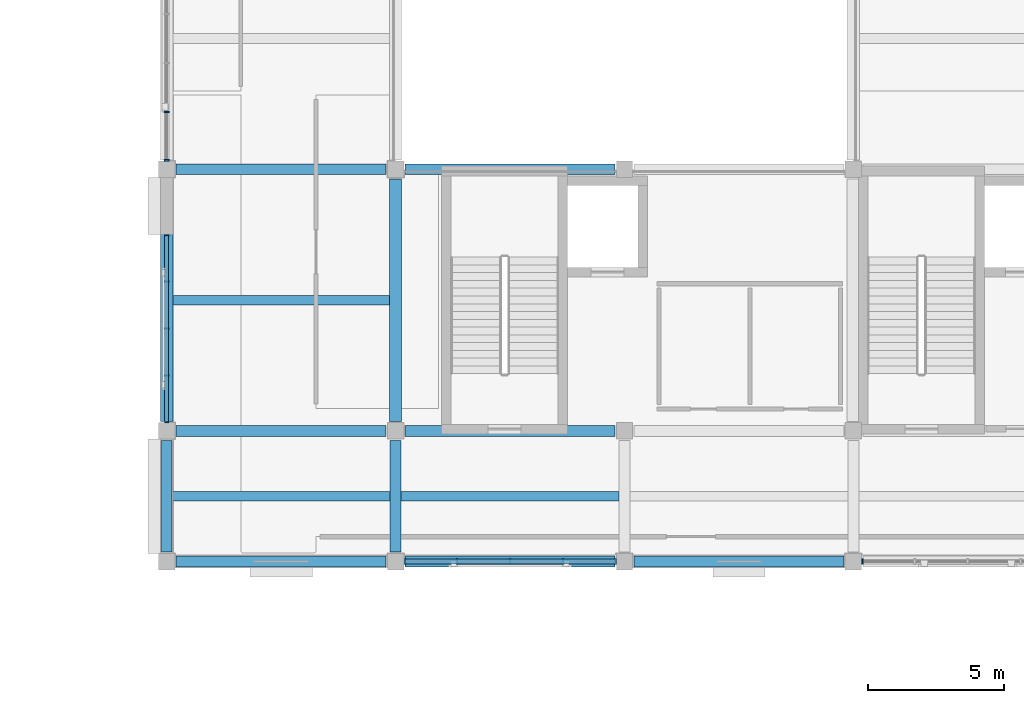
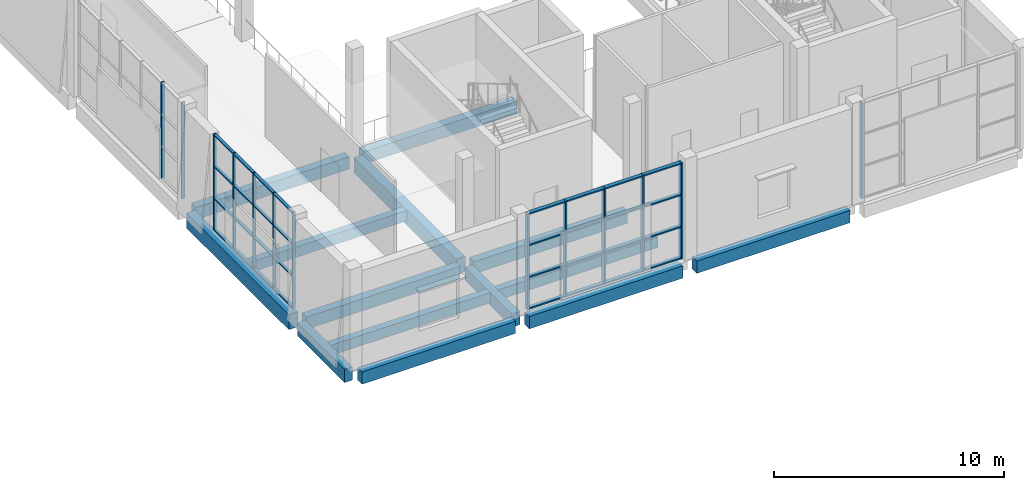
# One storey, part 22 of 57: 21 members, 14 beams, 4 elements without a shape of their own.
"""IFC4 building model written with IfcOpenShell, lengths in metres."""

from ifc_helpers import new_model, si_unit, direction, frame, origin, origin_2d, place, context, subcontext, project, spatial, rectangle, extrude, material, material_profile, profile_set, type_object, element, aggregate, save


model = new_model("IFC4")

# Units and contexts
model_context = context("Model", 3, precision=1e-05, world=origin(), true_north=direction((0.0, 1.0)))
body_context = subcontext(model_context, "Body", "Model", "MODEL_VIEW")
ifc_project = project(units=[si_unit("LENGTHUNIT", "METRE"), si_unit("AREAUNIT", "SQUARE_METRE"), si_unit("VOLUMEUNIT", "CUBIC_METRE"), si_unit("PLANEANGLEUNIT", "RADIAN"), si_unit("MASSUNIT", "GRAM", prefix="KILO")], contexts=[model_context])

# Site, building, storey
site_placement = place(None, origin())
site = spatial("IfcSite", under=ifc_project, at=site_placement, CompositionType="ELEMENT")
building_placement = place(site_placement, origin())
building = spatial("IfcBuilding", under=site, at=building_placement, Name="Shalvenor Court Art Gallery", CompositionType="ELEMENT")
storey_placement = place(building_placement, frame((0.0, 0.0, 16.800048828125)))
storey = spatial("IfcBuildingStorey", under=building, at=storey_placement, Name="L03", CompositionType="ELEMENT", Elevation=16.800048828125)

# Beams
ifc_material_1 = material(Name="Concrete C40/50", Category="concrete")
ifc_material_profile_1 = material_profile(ifc_material_1, rectangle(XDim=0.449951171875, YDim=0.800048828125, at=origin_2d()), Name="RC 450x800")
ifc_profile_set_1 = profile_set([ifc_material_profile_1], Name="Concrete C40/50")
beam_type_1 = type_object("IfcBeamType", Name="B-03", PredefinedType="BEAM", material=ifc_profile_set_1)
for number, where, z_axis, x_axis, name in (
    (1, (142.800048828125, 50.75, -0.699951171875), (0.0, 1.0, 0.0), (-1.0, 0.0, 0.0), "L03 Girder BM-L03-B-03-1014"),
    (2, (151.199951171875, 50.75, -0.699951171875), (0.0, 1.0, 0.0), (-1.0, 0.0, 0.0), "L03 Girder BM-L03-B-03-1020"),
):
    element("IfcBeam", number, at=place(storey_placement, frame(where, z_axis=z_axis, x_axis=x_axis)), inside=storey, type_object=beam_type_1, Name=name, PredefinedType="BEAM", context=body_context, shape_type="SweptSolid", body=[
        extrude(rectangle(XDim=0.449951171875, YDim=0.800048828125, at=origin_2d()), origin(), (0.0, 0.0, 1.0), 8.89990234375),
    ])
ifc_material_2 = material(Name="Concrete C40/50", Category="concrete")
ifc_material_profile_2 = material_profile(ifc_material_2, rectangle(XDim=0.39990234375, YDim=0.699951171875, at=origin_2d()), Name="RC 400x700")
ifc_profile_set_2 = profile_set([ifc_material_profile_2], Name="Concrete C40/50")
beam_type_2 = type_object("IfcBeamType", Name="B-05", PredefinedType="BEAM", material=ifc_profile_set_2)
for number, where, z_axis, x_axis, name in (
    (3, (142.800048828125, 45.949951171875, -0.650146484375), (0.0, 1.0, 0.0), (-1.0, 0.0, 0.0), "L03 Girder BM-L03-B-05-1013"),
    (4, (151.199951171875, 45.949951171875, -0.650146484375), (0.0, 1.0, 0.0), (-1.0, 0.0, 0.0), "L03 Girder BM-L03-B-05-1019"),
):
    element("IfcBeam", number, at=place(storey_placement, frame(where, z_axis=z_axis, x_axis=x_axis)), inside=storey, type_object=beam_type_2, Name=name, PredefinedType="BEAM", context=body_context, shape_type="SweptSolid", body=[
        extrude(rectangle(XDim=0.39990234375, YDim=0.699951171875, at=origin_2d()), origin(), (0.0, 0.0, 1.0), 4.10009765625),
    ])
ifc_material_3 = material(Name="Concrete C40/50", Category="concrete")
ifc_material_profile_3 = material_profile(ifc_material_3, rectangle(XDim=0.39990234375, YDim=0.64990234375, at=origin_2d()), Name="RC 400x650")
ifc_profile_set_3 = profile_set([ifc_material_profile_3], Name="Concrete C40/50")
beam_type_3 = type_object("IfcBeamType", Name="B-06", PredefinedType="BEAM", material=ifc_profile_set_3)
beam_1_placement = place(storey_placement, frame((143.14990234375, 45.60009765625, -0.625), z_axis=(1.0, 0.0, 0.0), x_axis=(0.0, 1.0, 0.0)))
element("IfcBeam", 5, at=beam_1_placement, inside=storey, type_object=beam_type_3, Name="L03 Girder BM-L03-B-06-1067", PredefinedType="BEAM", context=body_context, shape_type="SweptSolid", body=[
    extrude(rectangle(XDim=0.39990234375, YDim=0.64990234375, at=origin_2d()), origin(), (0.0, 0.0, 1.0), 7.7001953125),
])
for number, where, z_axis, x_axis, name in (
    (6, (151.550048828125, 45.60009765625, -0.625), (1.0, 0.0, 0.0), (0.0, 1.0, 0.0), "L03 Girder BM-L03-B-06-1068"),
    (7, (159.949951171875, 45.60009765625, -0.625), (1.0, 0.0, 0.0), (0.0, 1.0, 0.0), "L03 Girder BM-L03-B-06-1069"),
):
    element("IfcBeam", number, at=place(storey_placement, frame(where, z_axis=z_axis, x_axis=x_axis)), inside=storey, type_object=beam_type_3, Name=name, PredefinedType="BEAM", context=body_context, shape_type="SweptSolid", body=[
        extrude(rectangle(XDim=0.39990234375, YDim=0.64990234375, at=origin_2d()), origin(), (0.0, 0.0, 1.0), 7.699951171875),
    ])
beam_2_placement = place(storey_placement, frame((143.14990234375, 50.39990234375, -0.625), z_axis=(1.0, 0.0, 0.0), x_axis=(0.0, 1.0, 0.0)))
element("IfcBeam", 8, at=beam_2_placement, inside=storey, type_object=beam_type_3, Name="L03 Girder BM-L03-B-06-1071", PredefinedType="BEAM", context=body_context, shape_type="SweptSolid", body=[
    extrude(rectangle(XDim=0.39990234375, YDim=0.64990234375, at=origin_2d()), origin(), (0.0, 0.0, 1.0), 7.7001953125),
])
beam_3_placement = place(storey_placement, frame((151.550048828125, 50.39990234375, -0.625), z_axis=(1.0, 0.0, 0.0), x_axis=(0.0, 1.0, 0.0)))
element("IfcBeam", 9, at=beam_3_placement, inside=storey, type_object=beam_type_3, Name="L03 Girder BM-L03-B-06-1072", PredefinedType="BEAM", context=body_context, shape_type="SweptSolid", body=[
    extrude(rectangle(XDim=0.39990234375, YDim=0.64990234375, at=origin_2d()), origin(), (0.0, 0.0, 1.0), 7.699951171875),
])
beam_4_placement = place(storey_placement, frame((143.14990234375, 60.0, -0.625), z_axis=(1.0, 0.0, 0.0), x_axis=(0.0, 1.0, 0.0)))
element("IfcBeam", 10, at=beam_4_placement, inside=storey, type_object=beam_type_3, Name="L03 Girder BM-L03-B-06-1075", PredefinedType="BEAM", context=body_context, shape_type="SweptSolid", body=[
    extrude(rectangle(XDim=0.39990234375, YDim=0.64990234375, at=origin_2d()), origin(), (0.0, 0.0, 1.0), 7.7001953125),
])
beam_5_placement = place(storey_placement, frame((151.550048828125, 60.0, -0.625), z_axis=(1.0, 0.0, 0.0), x_axis=(0.0, 1.0, 0.0)))
element("IfcBeam", 11, at=beam_5_placement, inside=storey, type_object=beam_type_3, Name="L03 Girder BM-L03-B-06-1076", PredefinedType="BEAM", context=body_context, shape_type="SweptSolid", body=[
    extrude(rectangle(XDim=0.39990234375, YDim=0.64990234375, at=origin_2d()), origin(), (0.0, 0.0, 1.0), 7.699951171875),
])

# Curtain wall, members
ifc_material_4 = material(Name="Anodised aluminium and low-iron glass curtain wall", Category="aluminium")
curtain_wall_type_1 = type_object("IfcCurtainWallType", Name="CW-5x3-90-51-122", PredefinedType="USERDEFINED", material=ifc_material_4)
curtain_wall_1_placement = place(storey_placement, origin())
curtain_wall_1 = element("IfcCurtainWall", 12, at=curtain_wall_1_placement, inside=storey, type_object=curtain_wall_type_1, Name="L03 V1 Curtain Wall CW-L03-028", ObjectType="CURTAIN WALL", PredefinedType="USERDEFINED")
ifc_material_5 = material(Name="Anodised aluminium mullion", Category="aluminium")
ifc_material_profile_4 = material_profile(ifc_material_5, rectangle(XDim=0.06494140625, YDim=0.179931640625, at=origin_2d()), Name="CWM-01")
ifc_profile_set_4 = profile_set([ifc_material_profile_4], Name="Anodised aluminium mullion")
member_type_1 = type_object("IfcMemberType", Name="CWM-01", PredefinedType="MULLION", material=ifc_profile_set_4)
member_1_placement = place(storey_placement, frame((142.800048828125, 60.33251953125, 0.0), z_axis=(0.0, 0.0, 1.0), x_axis=(0.0, 1.0, 0.0)))
member_1 = element("IfcMember", 13, at=member_1_placement, type_object=member_type_1, Name="CW-5x3-90-51-122 mullion 1", PredefinedType="MULLION", context=body_context, shape_type="SweptSolid", body=[
    extrude(rectangle(XDim=0.06494140625, YDim=0.179931640625, at=origin_2d()), origin(), (0.0, 0.0, 1.0), 5.099853515625),
])
member_2_placement = place(storey_placement, frame((142.800048828125, 62.10009765625, 0.0), z_axis=(0.0, 0.0, 1.0), x_axis=(0.0, 1.0, 0.0)))
member_2 = element("IfcMember", 14, at=member_2_placement, type_object=member_type_1, Name="CW-5x3-90-51-122 mullion 2", PredefinedType="MULLION", context=body_context, shape_type="SweptSolid", body=[
    extrude(rectangle(XDim=0.06494140625, YDim=0.179931640625, at=origin_2d()), origin(), (0.0, 0.0, 1.0), 5.099853515625),
])
aggregate(curtain_wall_1, [member_1, member_2])

# Curtain wall, member
ifc_material_6 = material(Name="Anodised aluminium and low-iron glass curtain wall", Category="aluminium")
curtain_wall_type_2 = type_object("IfcCurtainWallType", Name="CW-4x3-78-51-222", PredefinedType="USERDEFINED", material=ifc_material_6)
curtain_wall_2_placement = place(storey_placement, origin())
curtain_wall_2 = element("IfcCurtainWall", 15, at=curtain_wall_2_placement, inside=storey, type_object=curtain_wall_type_2, Name="L03 V1 Curtain Wall CW-L03-025", ObjectType="CURTAIN WALL", PredefinedType="USERDEFINED")
ifc_material_7 = material(Name="Anodised aluminium mullion", Category="aluminium")
ifc_material_profile_5 = material_profile(ifc_material_7, rectangle(XDim=0.070068359375, YDim=0.199951171875, at=origin_2d()), Name="CWM-02")
ifc_profile_set_5 = profile_set([ifc_material_profile_5], Name="Anodised aluminium mullion")
member_type_2 = type_object("IfcMemberType", Name="CWM-02", PredefinedType="MULLION", material=ifc_profile_set_5)
member_3_placement = place(storey_placement, frame((168.3349609375, 45.60009765625, 0.0), z_axis=(0.0, 0.0, 1.0), x_axis=(-1.0, 0.0, 0.0)))
member_3 = element("IfcMember", 16, at=member_3_placement, type_object=member_type_2, Name="CW-4x3-78-51-222 mullion 5", PredefinedType="MULLION", context=body_context, shape_type="SweptSolid", body=[
    extrude(rectangle(XDim=0.070068359375, YDim=0.199951171875, at=origin_2d()), origin(), (0.0, 0.0, 1.0), 5.099853515625),
])
aggregate(curtain_wall_2, [member_3])

# Curtain wall, members
ifc_material_8 = material(Name="Anodised aluminium and low-iron glass curtain wall", Category="aluminium")
curtain_wall_type_3 = type_object("IfcCurtainWallType", Name="CW-4x3-78-51-442", PredefinedType="USERDEFINED", material=ifc_material_8)
curtain_wall_3_placement = place(storey_placement, origin())
curtain_wall_3 = element("IfcCurtainWall", 17, at=curtain_wall_3_placement, inside=storey, type_object=curtain_wall_type_3, Name="L03 V1 Curtain Wall CW-L03-026", ObjectType="CURTAIN WALL", PredefinedType="USERDEFINED")
ifc_material_9 = material(Name="Anodised aluminium mullion", Category="aluminium")
ifc_material_profile_6 = material_profile(ifc_material_9, rectangle(XDim=0.074951171875, YDim=0.219970703125, at=origin_2d()), Name="CWM-04")
ifc_profile_set_6 = profile_set([ifc_material_profile_6], Name="Anodised aluminium mullion")
member_type_3 = type_object("IfcMemberType", Name="CWM-04", PredefinedType="MULLION", material=ifc_profile_set_6)
member_4_placement = place(storey_placement, frame((159.262451171875, 45.60009765625, 0.0), z_axis=(0.0, 0.0, 1.0), x_axis=(-1.0, 0.0, 0.0)))
member_4 = element("IfcMember", 18, at=member_4_placement, type_object=member_type_3, Name="CW-4x3-78-51-442 mullion 1", PredefinedType="MULLION", context=body_context, shape_type="SweptSolid", body=[
    extrude(rectangle(XDim=0.074951171875, YDim=0.219970703125, at=origin_2d()), origin(), (0.0, 0.0, 1.0), 5.099853515625),
])
member_5_placement = place(storey_placement, frame((157.35009765625, 45.60009765625, 0.0), z_axis=(0.0, 0.0, 1.0), x_axis=(-1.0, 0.0, 0.0)))
member_5 = element("IfcMember", 19, at=member_5_placement, type_object=member_type_3, Name="CW-4x3-78-51-442 mullion 2", PredefinedType="MULLION", context=body_context, shape_type="SweptSolid", body=[
    extrude(rectangle(XDim=0.074951171875, YDim=0.219970703125, at=origin_2d()), origin(), (0.0, 0.0, 1.0), 5.099853515625),
])
member_6_placement = place(storey_placement, frame((155.39990234375, 45.60009765625, 0.0), z_axis=(0.0, 0.0, 1.0), x_axis=(-1.0, 0.0, 0.0)))
member_6 = element("IfcMember", 20, at=member_6_placement, type_object=member_type_3, Name="CW-4x3-78-51-442 mullion 3", PredefinedType="MULLION", context=body_context, shape_type="SweptSolid", body=[
    extrude(rectangle(XDim=0.074951171875, YDim=0.219970703125, at=origin_2d()), origin(), (0.0, 0.0, 1.0), 5.099853515625),
])
member_7_placement = place(storey_placement, frame((153.449951171875, 45.60009765625, 0.0), z_axis=(0.0, 0.0, 1.0), x_axis=(-1.0, 0.0, 0.0)))
member_7 = element("IfcMember", 21, at=member_7_placement, type_object=member_type_3, Name="CW-4x3-78-51-442 mullion 4", PredefinedType="MULLION", context=body_context, shape_type="SweptSolid", body=[
    extrude(rectangle(XDim=0.074951171875, YDim=0.219970703125, at=origin_2d()), origin(), (0.0, 0.0, 1.0), 5.099853515625),
])
member_8_placement = place(storey_placement, frame((151.53759765625, 45.60009765625, 0.0), z_axis=(0.0, 0.0, 1.0), x_axis=(-1.0, 0.0, 0.0)))
member_8 = element("IfcMember", 22, at=member_8_placement, type_object=member_type_3, Name="CW-4x3-78-51-442 mullion 5", PredefinedType="MULLION", context=body_context, shape_type="SweptSolid", body=[
    extrude(rectangle(XDim=0.074951171875, YDim=0.219970703125, at=origin_2d()), origin(), (0.0, 0.0, 1.0), 5.099853515625),
])

ifc_material_10 = material(Name="Anodised aluminium and low-iron glass curtain wall", Category="aluminium")
curtain_wall_type_4 = type_object("IfcCurtainWallType", Name="CW-4x3-69-51-612", PredefinedType="USERDEFINED", material=ifc_material_10)
curtain_wall_4_placement = place(storey_placement, origin())
curtain_wall_4 = element("IfcCurtainWall", 23, at=curtain_wall_4_placement, inside=storey, type_object=curtain_wall_type_4, Name="L03 V1 Curtain Wall CW-L03-027", ObjectType="CURTAIN WALL", PredefinedType="USERDEFINED")
ifc_material_11 = material(Name="Anodised aluminium mullion", Category="aluminium")
ifc_material_profile_7 = material_profile(ifc_material_11, rectangle(XDim=0.054931640625, YDim=0.139892578125, at=origin_2d()), Name="CWM-06")
ifc_profile_set_7 = profile_set([ifc_material_profile_7], Name="Anodised aluminium mullion")
member_type_4 = type_object("IfcMemberType", Name="CWM-06", PredefinedType="MULLION", material=ifc_profile_set_7)
member_9_placement = place(storey_placement, frame((142.800048828125, 50.7275390625, 0.0), z_axis=(0.0, 0.0, 1.0), x_axis=(0.0, 1.0, 0.0)))
member_9 = element("IfcMember", 24, at=member_9_placement, type_object=member_type_4, Name="CW-4x3-69-51-612 mullion 1", PredefinedType="MULLION", context=body_context, shape_type="SweptSolid", body=[
    extrude(rectangle(XDim=0.054931640625, YDim=0.139892578125, at=origin_2d()), origin(), (0.0, 0.0, 1.0), 5.099853515625),
])
member_10_placement = place(storey_placement, frame((142.800048828125, 52.425048828125, 0.0), z_axis=(0.0, 0.0, 1.0), x_axis=(0.0, 1.0, 0.0)))
member_10 = element("IfcMember", 25, at=member_10_placement, type_object=member_type_4, Name="CW-4x3-69-51-612 mullion 2", PredefinedType="MULLION", context=body_context, shape_type="SweptSolid", body=[
    extrude(rectangle(XDim=0.054931640625, YDim=0.139892578125, at=origin_2d()), origin(), (0.0, 0.0, 1.0), 5.099853515625),
])
member_11_placement = place(storey_placement, frame((142.800048828125, 54.14990234375, 0.0), z_axis=(0.0, 0.0, 1.0), x_axis=(0.0, 1.0, 0.0)))
member_11 = element("IfcMember", 26, at=member_11_placement, type_object=member_type_4, Name="CW-4x3-69-51-612 mullion 3", PredefinedType="MULLION", context=body_context, shape_type="SweptSolid", body=[
    extrude(rectangle(XDim=0.054931640625, YDim=0.139892578125, at=origin_2d()), origin(), (0.0, 0.0, 1.0), 5.099853515625),
])
member_12_placement = place(storey_placement, frame((142.800048828125, 55.875, 0.0), z_axis=(0.0, 0.0, 1.0), x_axis=(0.0, 1.0, 0.0)))
member_12 = element("IfcMember", 27, at=member_12_placement, type_object=member_type_4, Name="CW-4x3-69-51-612 mullion 4", PredefinedType="MULLION", context=body_context, shape_type="SweptSolid", body=[
    extrude(rectangle(XDim=0.054931640625, YDim=0.139892578125, at=origin_2d()), origin(), (0.0, 0.0, 1.0), 5.099853515625),
])
member_13_placement = place(storey_placement, frame((142.800048828125, 57.572509765625, 0.0), z_axis=(0.0, 0.0, 1.0), x_axis=(0.0, 1.0, 0.0)))
member_13 = element("IfcMember", 28, at=member_13_placement, type_object=member_type_4, Name="CW-4x3-69-51-612 mullion 5", PredefinedType="MULLION", context=body_context, shape_type="SweptSolid", body=[
    extrude(rectangle(XDim=0.054931640625, YDim=0.139892578125, at=origin_2d()), origin(), (0.0, 0.0, 1.0), 5.099853515625),
])
ifc_material_12 = material(Name="Anodised aluminium transom", Category="aluminium")
ifc_material_profile_8 = material_profile(ifc_material_12, rectangle(XDim=0.14990234375, YDim=0.06005859375, at=origin_2d()), Name="CWT-01")
ifc_profile_set_8 = profile_set([ifc_material_profile_8], Name="Anodised aluminium transom")
member_type_5 = type_object("IfcMemberType", Name="CWT-01", PredefinedType="USERDEFINED", material=ifc_profile_set_8)
member_14_placement = place(storey_placement, frame((142.800048828125, 50.7275390625, 0.030029296875), z_axis=(0.0, 1.0, 0.0), x_axis=(-1.0, 0.0, 0.0)))
member_14 = element("IfcMember", 29, at=member_14_placement, type_object=member_type_5, Name="CW-4x3-69-51-612 transom 1", ObjectType="TRANSOM", PredefinedType="USERDEFINED", context=body_context, shape_type="SweptSolid", body=[
    extrude(rectangle(XDim=0.14990234375, YDim=0.06005859375, at=origin_2d()), origin(), (0.0, 0.0, 1.0), 6.844970703125),
])
member_15_placement = place(storey_placement, frame((142.800048828125, 50.7275390625, 1.699951171875), z_axis=(0.0, 1.0, 0.0), x_axis=(-1.0, 0.0, 0.0)))
member_15 = element("IfcMember", 30, at=member_15_placement, type_object=member_type_5, Name="CW-4x3-69-51-612 transom 2", ObjectType="TRANSOM", PredefinedType="USERDEFINED", context=body_context, shape_type="SweptSolid", body=[
    extrude(rectangle(XDim=0.14990234375, YDim=0.06005859375, at=origin_2d()), origin(), (0.0, 0.0, 1.0), 6.844970703125),
])
member_16_placement = place(storey_placement, frame((142.800048828125, 50.7275390625, 3.39990234375), z_axis=(0.0, 1.0, 0.0), x_axis=(-1.0, 0.0, 0.0)))
member_16 = element("IfcMember", 31, at=member_16_placement, type_object=member_type_5, Name="CW-4x3-69-51-612 transom 3", ObjectType="TRANSOM", PredefinedType="USERDEFINED", context=body_context, shape_type="SweptSolid", body=[
    extrude(rectangle(XDim=0.14990234375, YDim=0.06005859375, at=origin_2d()), origin(), (0.0, 0.0, 1.0), 6.844970703125),
])
member_17_placement = place(storey_placement, frame((142.800048828125, 50.7275390625, 5.070068359375), z_axis=(0.0, 1.0, 0.0), x_axis=(-1.0, 0.0, 0.0)))
member_17 = element("IfcMember", 32, at=member_17_placement, type_object=member_type_5, Name="CW-4x3-69-51-612 transom 4", ObjectType="TRANSOM", PredefinedType="USERDEFINED", context=body_context, shape_type="SweptSolid", body=[
    extrude(rectangle(XDim=0.14990234375, YDim=0.06005859375, at=origin_2d()), origin(), (0.0, 0.0, 1.0), 6.844970703125),
])
aggregate(curtain_wall_4, [member_9, member_10, member_11, member_12, member_13, member_14, member_15, member_16, member_17])

# Member
ifc_material_13 = material(Name="Anodised aluminium transom", Category="aluminium")
ifc_material_profile_9 = material_profile(ifc_material_13, rectangle(XDim=0.18994140625, YDim=0.070068359375, at=origin_2d()), Name="CWT-04")
ifc_profile_set_9 = profile_set([ifc_material_profile_9], Name="Anodised aluminium transom")
member_type_6 = type_object("IfcMemberType", Name="CWT-04", PredefinedType="USERDEFINED", material=ifc_profile_set_9)
member_18_placement = place(storey_placement, frame((159.262451171875, 45.60009765625, 0.034912109375), z_axis=(-1.0, 0.0, 0.0), x_axis=(0.0, -1.0, 0.0)))
member_18 = element("IfcMember", 33, at=member_18_placement, type_object=member_type_6, Name="CW-4x3-78-51-442 transom 1", ObjectType="TRANSOM", PredefinedType="USERDEFINED", context=body_context, shape_type="SweptSolid", body=[
    extrude(rectangle(XDim=0.18994140625, YDim=0.070068359375, at=origin_2d()), origin(), (0.0, 0.0, 1.0), 7.724853515625),
])

member_19_placement = place(storey_placement, frame((159.262451171875, 45.60009765625, 1.699951171875), z_axis=(-1.0, 0.0, 0.0), x_axis=(0.0, -1.0, 0.0)))
member_19 = element("IfcMember", 34, at=member_19_placement, type_object=member_type_6, Name="CW-4x3-78-51-442 transom 2", ObjectType="TRANSOM", PredefinedType="USERDEFINED", context=body_context, shape_type="SweptSolid", body=[
    extrude(rectangle(XDim=0.18994140625, YDim=0.070068359375, at=origin_2d()), origin(), (0.0, 0.0, 1.0), 7.724853515625),
])

member_20_placement = place(storey_placement, frame((159.262451171875, 45.60009765625, 3.39990234375), z_axis=(-1.0, 0.0, 0.0), x_axis=(0.0, -1.0, 0.0)))
member_20 = element("IfcMember", 35, at=member_20_placement, type_object=member_type_6, Name="CW-4x3-78-51-442 transom 3", ObjectType="TRANSOM", PredefinedType="USERDEFINED", context=body_context, shape_type="SweptSolid", body=[
    extrude(rectangle(XDim=0.18994140625, YDim=0.070068359375, at=origin_2d()), origin(), (0.0, 0.0, 1.0), 7.724853515625),
])

member_21_placement = place(storey_placement, frame((159.262451171875, 45.60009765625, 5.06494140625), z_axis=(-1.0, 0.0, 0.0), x_axis=(0.0, -1.0, 0.0)))
member_21 = element("IfcMember", 36, at=member_21_placement, type_object=member_type_6, Name="CW-4x3-78-51-442 transom 4", ObjectType="TRANSOM", PredefinedType="USERDEFINED", context=body_context, shape_type="SweptSolid", body=[
    extrude(rectangle(XDim=0.18994140625, YDim=0.070068359375, at=origin_2d()), origin(), (0.0, 0.0, 1.0), 7.724853515625),
])

aggregate(curtain_wall_3, [member_4, member_5, member_6, member_7, member_8, member_18, member_19, member_20, member_21])

# Beams
ifc_material_14 = material(Name="Concrete C40/50", Category="concrete")
ifc_material_profile_10 = material_profile(ifc_material_14, rectangle(XDim=0.35009765625, YDim=0.550048828125, at=origin_2d()), Name="RC 350x550")
ifc_profile_set_10 = profile_set([ifc_material_profile_10], Name="Concrete C40/50")
beam_type_4 = type_object("IfcBeamType", Name="J-02", PredefinedType="JOIST", material=ifc_profile_set_10)
beam_6_placement = place(storey_placement, frame((143.0, 48.0, -0.574951171875), z_axis=(1.0, 0.0, 0.0), x_axis=(0.0, 1.0, 0.0)))
element("IfcBeam", 37, at=beam_6_placement, inside=storey, type_object=beam_type_4, Name="L03 Secondary Beam JST-L03-J-02-1152", PredefinedType="JOIST", context=body_context, shape_type="SweptSolid", body=[
    extrude(rectangle(XDim=0.35009765625, YDim=0.550048828125, at=origin_2d()), origin(), (0.0, 0.0, 1.0), 8.0),
])
beam_7_placement = place(storey_placement, frame((143.02490234375, 55.199951171875, -0.574951171875), z_axis=(1.0, 0.0, 0.0), x_axis=(0.0, 1.0, 0.0)))
element("IfcBeam", 38, at=beam_7_placement, inside=storey, type_object=beam_type_4, Name="L03 Secondary Beam JST-L03-J-02-1153", PredefinedType="JOIST", context=body_context, shape_type="SweptSolid", body=[
    extrude(rectangle(XDim=0.35009765625, YDim=0.550048828125, at=origin_2d()), origin(), (0.0, 0.0, 1.0), 7.9501953125),
])
beam_8_placement = place(storey_placement, frame((151.39990234375, 48.0, -0.574951171875), z_axis=(1.0, 0.0, 0.0), x_axis=(0.0, 1.0, 0.0)))
element("IfcBeam", 39, at=beam_8_placement, inside=storey, type_object=beam_type_4, Name="L03 Secondary Beam JST-L03-J-02-1158", PredefinedType="JOIST", context=body_context, shape_type="SweptSolid", body=[
    extrude(rectangle(XDim=0.35009765625, YDim=0.550048828125, at=origin_2d()), origin(), (0.0, 0.0, 1.0), 8.0),
])

save(model, "model.ifc")
